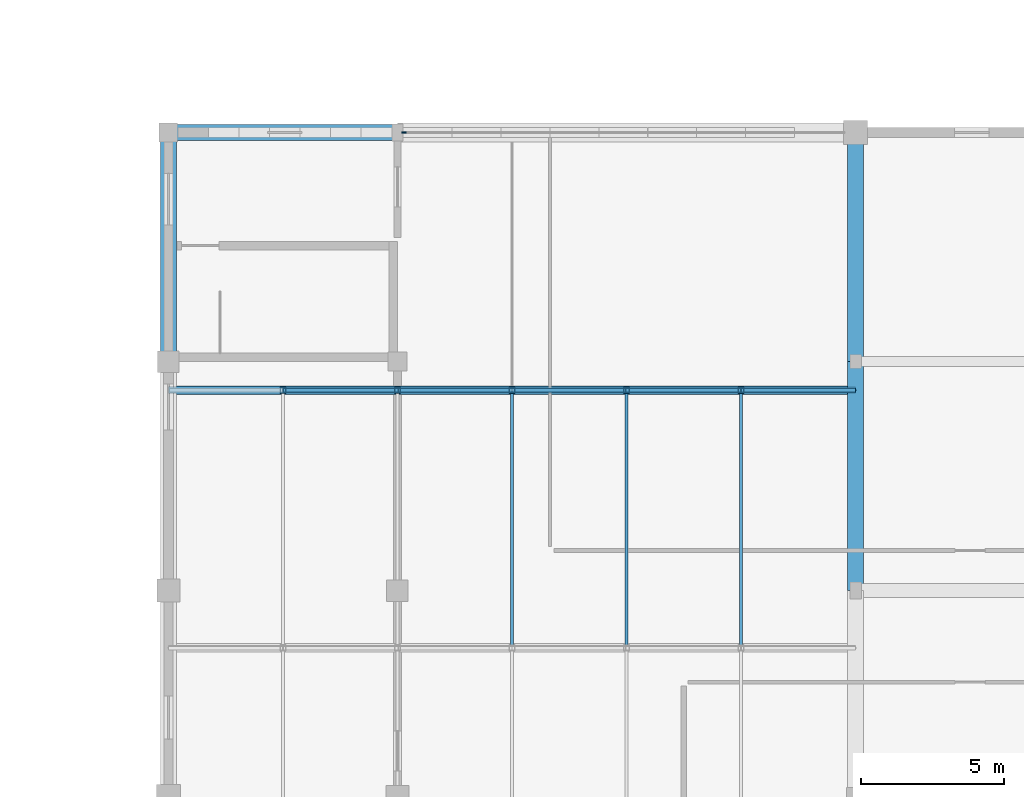
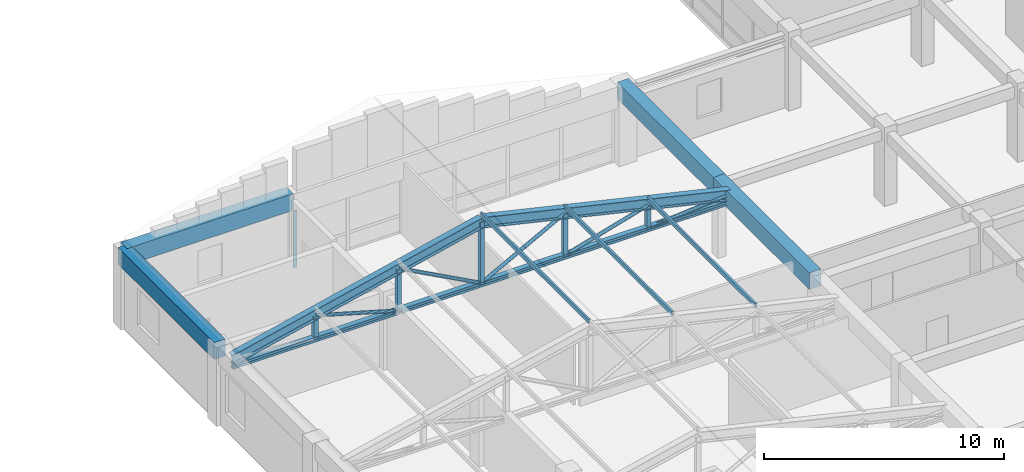
# One storey, part 6 of 27: 17 members, 4 beams, 1 element without a shape of its own.
"""IFC4 building model written with IfcOpenShell, lengths in metres."""

from ifc_helpers import new_model, si_unit, direction, frame, origin, origin_2d, place, context, subcontext, project, spatial, rectangle, hollow_rectangle, hollow_circle, i_section, extrude, material, material_profile, profile_set, type_object, element, aggregate, save


model = new_model("IFC4")

# Units and contexts
model_context = context("Model", 3, precision=1e-05, world=origin(), true_north=direction((0.0, 1.0)))
body_context = subcontext(model_context, "Body", "Model", "MODEL_VIEW")
ifc_project = project(units=[si_unit("LENGTHUNIT", "METRE"), si_unit("AREAUNIT", "SQUARE_METRE"), si_unit("VOLUMEUNIT", "CUBIC_METRE"), si_unit("PLANEANGLEUNIT", "RADIAN"), si_unit("MASSUNIT", "GRAM", prefix="KILO")], contexts=[model_context])

# Site, building, storey
site_placement = place(None, origin())
site = spatial("IfcSite", under=ifc_project, at=site_placement, CompositionType="ELEMENT")
building_placement = place(site_placement, origin())
building = spatial("IfcBuilding", under=site, at=building_placement, Name="Vellmiral Cinema and Media Centre", CompositionType="ELEMENT")
storey_placement = place(building_placement, frame((0.0, 0.0, 19.800048828125)))
storey = spatial("IfcBuildingStorey", under=building, at=storey_placement, Name="L04", CompositionType="ELEMENT", Elevation=19.800048828125)

# Curtain wall, member
ifc_material_1 = material(Name="Thermally Broken Aluminium and Triple Glazing", Category="aluminium")
curtain_wall_type = type_object("IfcCurtainWallType", Name="CW-TOWER-LOW-S", PredefinedType="USERDEFINED", material=ifc_material_1)
curtain_wall_placement = place(storey_placement, origin())
curtain_wall = element("IfcCurtainWall", 1, at=curtain_wall_placement, inside=storey, type_object=curtain_wall_type, Name="Curtain Wall L04-B031", ObjectType="UNITISED CURTAIN WALL", PredefinedType="USERDEFINED")
ifc_material_2 = material(Name="Thermally Broken Anodised Aluminium", Category="aluminium")
ifc_material_profile_1 = material_profile(ifc_material_2, rectangle(XDim=0.06494140625, YDim=0.159912109375, at=origin_2d()), Name="MULL 65x160")
ifc_profile_set_1 = profile_set([ifc_material_profile_1], Name="Thermally Broken Anodised Aluminium")
member_type_1 = type_object("IfcMemberType", Name="CWM-65x160", PredefinedType="MULLION", material=ifc_profile_set_1)
member_1_placement = place(storey_placement, frame((86.632568359375, 95.199951171875, 0.0), z_axis=(0.0, 0.0, 1.0), x_axis=(0.0, -1.0, 0.0)))
member_1 = element("IfcMember", 2, at=member_1_placement, type_object=member_type_1, Name="CW-06 mullion 7", PredefinedType="MULLION", context=body_context, shape_type="SweptSolid", body=[
    extrude(rectangle(XDim=0.06494140625, YDim=0.159912109375, at=origin_2d()), origin(), (0.0, 0.0, 1.0), 2.889892578125),
])
aggregate(curtain_wall, [member_1])

# Members
ifc_material_3 = material(Name="Steel S355", Category="steel")
ifc_material_profile_2 = material_profile(ifc_material_3, hollow_rectangle(XDim=0.10009765625, YDim=0.199951171875, WallThickness=0.008056640625, at=origin_2d()), Name="RHS 200x100x8.0")
ifc_profile_set_2 = profile_set([ifc_material_profile_2], Name="Steel S355")
member_type_2 = type_object("IfcMemberType", Name="PRL-RHS200", PredefinedType="PURLIN", material=ifc_profile_set_2)
for number, where, z_axis, x_axis, name in (
    (3, (90.39990234375, 77.199951171875, 6.85693359375), (0.0, 1.0, 0.0), (-1.0, 0.0, 0.0), "Roof Purlin VR-09.3.2"),
    (4, (94.39990234375, 77.199951171875, 5.859619140625), (0.0, 1.0, 0.0), (-1.0, 0.0, 0.0), "Roof Purlin VR-09.4.2"),
    (5, (98.39990234375, 77.199951171875, 4.8623046875), (0.0, 1.0, 0.0), (-1.0, 0.0, 0.0), "Roof Purlin VR-09.5.2"),
):
    element("IfcMember", number, at=place(storey_placement, frame(where, z_axis=z_axis, x_axis=x_axis)), inside=storey, type_object=member_type_2, Name=name, PredefinedType="PURLIN", context=body_context, shape_type="SweptSolid", body=[
        extrude(hollow_rectangle(XDim=0.10009765625, YDim=0.199951171875, WallThickness=0.008056640625, at=origin_2d()), origin(), (0.0, 0.0, 1.0), 9.0),
    ])

# Beams
ifc_material_4 = material(Name="Concrete C40/50", Category="concrete")
ifc_material_profile_3 = material_profile(ifc_material_4, rectangle(XDim=0.550048828125, YDim=0.85009765625, at=origin_2d()), Name="RC 550x850")
ifc_profile_set_3 = profile_set([ifc_material_profile_3], Name="Concrete C40/50")
beam_type = type_object("IfcBeamType", Name="RING-BM-550x850", PredefinedType="BEAM", material=ifc_profile_set_3)
for number, where, z_axis, x_axis, name in (
    (6, (78.39990234375, 95.199951171875, 3.574951171875), (1.0, 0.0, 0.0), (0.0, 1.0, 0.0), "Stepped Broadcast Bridge Barrel Vault Ring Beam 03"),
    (7, (78.39990234375, 87.199951171875, 3.574951171875), (0.0, 1.0, 0.0), (-1.0, 0.0, 0.0), "Stepped Broadcast Bridge Barrel Vault Ring Beam 09"),
    (8, (102.39990234375, 79.199951171875, 3.574951171875), (0.0, 1.0, 0.0), (-1.0, 0.0, 0.0), "Stepped Broadcast Bridge Barrel Vault Ring Beam 13"),
    (9, (102.39990234375, 87.199951171875, 3.574951171875), (0.0, 1.0, 0.0), (-1.0, 0.0, 0.0), "Stepped Broadcast Bridge Barrel Vault Ring Beam 14"),
):
    element("IfcBeam", number, at=place(storey_placement, frame(where, z_axis=z_axis, x_axis=x_axis)), inside=storey, type_object=beam_type, Name=name, PredefinedType="BEAM", context=body_context, shape_type="SweptSolid", body=[
        extrude(rectangle(XDim=0.550048828125, YDim=0.85009765625, at=origin_2d()), origin(), (0.0, 0.0, 1.0), 8.0),
    ])

# Members
ifc_material_5 = material(Name="Steel S355", Category="steel")
ifc_material_profile_4 = material_profile(ifc_material_5, hollow_circle(Radius=0.084228515625, WallThickness=0.008056640625, at=origin_2d()), Name="CHS 168.3x8.0")
ifc_profile_set_4 = profile_set([ifc_material_profile_4], Name="Steel S355")
member_type_3 = type_object("IfcMemberType", Name="TBR-CHS168", PredefinedType="BRACE", material=ifc_profile_set_4)
member_2_placement = place(storey_placement, frame((82.39990234375, 86.199951171875, 4.502197265625), z_axis=(0.960919647927, 0.0, -0.276827437635), x_axis=(0.0, 1.0, 0.0)))
element("IfcMember", 10, at=member_2_placement, inside=storey, type_object=member_type_3, Name="Roof Truss TR-09.3 Diagonal 2", PredefinedType="BRACE", context=body_context, shape_type="SweptSolid", body=[
    extrude(hollow_circle(Radius=0.084228515625, WallThickness=0.008056640625, at=origin_2d()), origin(), (0.0, 0.0, 1.0), 4.16259765625),
])
for number, where, z_axis, x_axis, name in (
    (11, (86.39990234375, 86.199951171875, 5.49951171875), (0.880855783543, 0.0, -0.473384715216), (0.0, 1.0, 0.0), "Roof Truss TR-09.3 Diagonal 3"),
    (12, (90.39990234375, 86.199951171875, 3.349853515625), (0.880855783543, 0.0, 0.473384715216), (0.0, 1.0, 0.0), "Roof Truss TR-09.3 Diagonal 4"),
):
    element("IfcMember", number, at=place(storey_placement, frame(where, z_axis=z_axis, x_axis=x_axis)), inside=storey, type_object=member_type_3, Name=name, PredefinedType="BRACE", context=body_context, shape_type="SweptSolid", body=[
        extrude(hollow_circle(Radius=0.084228515625, WallThickness=0.008056640625, at=origin_2d()), origin(), (0.0, 0.0, 1.0), 4.541015625),
    ])
member_3_placement = place(storey_placement, frame((94.39990234375, 86.199951171875, 3.349853515625), z_axis=(0.960919647927, 0.0, 0.276827437635), x_axis=(0.0, 1.0, 0.0)))
element("IfcMember", 13, at=member_3_placement, inside=storey, type_object=member_type_3, Name="Roof Truss TR-09.3 Diagonal 5", PredefinedType="BRACE", context=body_context, shape_type="SweptSolid", body=[
    extrude(hollow_circle(Radius=0.084228515625, WallThickness=0.008056640625, at=origin_2d()), origin(), (0.0, 0.0, 1.0), 4.16259765625),
])
member_4_placement = place(storey_placement, frame((98.39990234375, 86.199951171875, 3.349853515625), z_axis=(0.996191605278, 0.0, 0.087191086546), x_axis=(0.0, 1.0, 0.0)))
element("IfcMember", 14, at=member_4_placement, inside=storey, type_object=member_type_3, Name="Roof Truss TR-09.3 Diagonal 6", PredefinedType="BRACE", context=body_context, shape_type="SweptSolid", body=[
    extrude(hollow_circle(Radius=0.084228515625, WallThickness=0.008056640625, at=origin_2d()), origin(), (0.0, 0.0, 1.0), 4.015380859375),
])
ifc_material_6 = material(Name="Steel S355", Category="steel")
ifc_material_profile_5 = material_profile(ifc_material_6, hollow_rectangle(XDim=0.199951171875, YDim=0.199951171875, WallThickness=0.010009765625, at=origin_2d()), Name="SHS 200x200x10.0")
ifc_profile_set_5 = profile_set([ifc_material_profile_5], Name="Steel S355")
member_type_4 = type_object("IfcMemberType", Name="TBR-SHS200", PredefinedType="BRACE", material=ifc_profile_set_5)
member_5_placement = place(storey_placement, frame((82.39990234375, 86.199951171875, 3.349853515625), z_axis=(0.0, 0.0, 1.0), x_axis=(1.0, 0.0, 0.0)))
element("IfcMember", 15, at=member_5_placement, inside=storey, type_object=member_type_4, Name="Roof Truss TR-09.3 Post 1", PredefinedType="BRACE", context=body_context, shape_type="SweptSolid", body=[
    extrude(hollow_rectangle(XDim=0.199951171875, YDim=0.199951171875, WallThickness=0.010009765625, at=origin_2d()), origin(), (0.0, 0.0, 1.0), 1.15234375),
])
member_6_placement = place(storey_placement, frame((86.39990234375, 86.199951171875, 3.349853515625), z_axis=(0.0, 0.0, 1.0), x_axis=(1.0, 0.0, 0.0)))
element("IfcMember", 16, at=member_6_placement, inside=storey, type_object=member_type_4, Name="Roof Truss TR-09.3 Post 2", PredefinedType="BRACE", context=body_context, shape_type="SweptSolid", body=[
    extrude(hollow_rectangle(XDim=0.199951171875, YDim=0.199951171875, WallThickness=0.010009765625, at=origin_2d()), origin(), (0.0, 0.0, 1.0), 2.149658203125),
])
member_7_placement = place(storey_placement, frame((90.39990234375, 86.199951171875, 3.349853515625), z_axis=(0.0, 0.0, 1.0), x_axis=(1.0, 0.0, 0.0)))
element("IfcMember", 17, at=member_7_placement, inside=storey, type_object=member_type_4, Name="Roof Truss TR-09.3 Post 3", PredefinedType="BRACE", context=body_context, shape_type="SweptSolid", body=[
    extrude(hollow_rectangle(XDim=0.199951171875, YDim=0.199951171875, WallThickness=0.010009765625, at=origin_2d()), origin(), (0.0, 0.0, 1.0), 3.14697265625),
])
member_8_placement = place(storey_placement, frame((94.39990234375, 86.199951171875, 3.349853515625), z_axis=(0.0, 0.0, 1.0), x_axis=(1.0, 0.0, 0.0)))
element("IfcMember", 18, at=member_8_placement, inside=storey, type_object=member_type_4, Name="Roof Truss TR-09.3 Post 4", PredefinedType="BRACE", context=body_context, shape_type="SweptSolid", body=[
    extrude(hollow_rectangle(XDim=0.199951171875, YDim=0.199951171875, WallThickness=0.010009765625, at=origin_2d()), origin(), (0.0, 0.0, 1.0), 2.149658203125),
])
member_9_placement = place(storey_placement, frame((98.39990234375, 86.199951171875, 3.349853515625), z_axis=(0.0, 0.0, 1.0), x_axis=(1.0, 0.0, 0.0)))
element("IfcMember", 19, at=member_9_placement, inside=storey, type_object=member_type_4, Name="Roof Truss TR-09.3 Post 5", PredefinedType="BRACE", context=body_context, shape_type="SweptSolid", body=[
    extrude(hollow_rectangle(XDim=0.199951171875, YDim=0.199951171875, WallThickness=0.010009765625, at=origin_2d()), origin(), (0.0, 0.0, 1.0), 1.15234375),
])
ifc_material_7 = material(Name="Steel S355", Category="steel")
ifc_material_profile_6 = material_profile(ifc_material_7, i_section(OverallWidth=0.300048828125, OverallDepth=0.5400390625, WebThickness=0.012451171875, FlangeThickness=0.02392578125, FilletRadius=0.027099609375, at=origin_2d()), Name="HEA 550")
ifc_profile_set_6 = profile_set([ifc_material_profile_6], Name="Steel S355")
member_type_5 = type_object("IfcMemberType", Name="TCH-HEA550", PredefinedType="CHORD", material=ifc_profile_set_6)
for number, where, z_axis, x_axis, name in (
    (20, (78.39990234375, 86.199951171875, 3.699951171875), (0.973897302282, 0.0, 0.226989084777), (0.0, 1.0, 0.0), "Roof Truss TR-09.3 Top Chord W"),
    (21, (90.39990234375, 86.199951171875, 6.496826171875), (0.973897302282, 0.0, -0.226989084777), (0.0, 1.0, 0.0), "Roof Truss TR-09.3 Top Chord E"),
):
    element("IfcMember", number, at=place(storey_placement, frame(where, z_axis=z_axis, x_axis=x_axis)), inside=storey, type_object=member_type_5, Name=name, PredefinedType="CHORD", context=body_context, shape_type="SweptSolid", body=[
        extrude(i_section(OverallWidth=0.300048828125, OverallDepth=0.5400390625, WebThickness=0.012451171875, FlangeThickness=0.02392578125, FilletRadius=0.027099609375, at=origin_2d()), origin(), (0.0, 0.0, 1.0), 12.321533203125),
    ])
ifc_material_8 = material(Name="Steel S355", Category="steel")
ifc_material_profile_7 = material_profile(ifc_material_8, i_section(OverallWidth=0.239990234375, OverallDepth=0.239990234375, WebThickness=0.010009765625, FlangeThickness=0.01708984375, FilletRadius=0.02099609375, at=origin_2d()), Name="HEB 240")
ifc_profile_set_7 = profile_set([ifc_material_profile_7], Name="Steel S355")
member_type_6 = type_object("IfcMemberType", Name="TCH-HEB240", PredefinedType="CHORD", material=ifc_profile_set_7)
member_10_placement = place(storey_placement, frame((78.39990234375, 86.199951171875, 3.349853515625), z_axis=(1.0, 0.0, 0.0), x_axis=(0.0, 1.0, 0.0)))
element("IfcMember", 22, at=member_10_placement, inside=storey, type_object=member_type_6, Name="Roof Truss TR-09.3 Bottom Chord", PredefinedType="CHORD", context=body_context, shape_type="SweptSolid", body=[
    extrude(i_section(OverallWidth=0.239990234375, OverallDepth=0.239990234375, WebThickness=0.010009765625, FlangeThickness=0.01708984375, FilletRadius=0.02099609375, at=origin_2d()), origin(), (0.0, 0.0, 1.0), 24.0),
])

save(model, "model.ifc")
